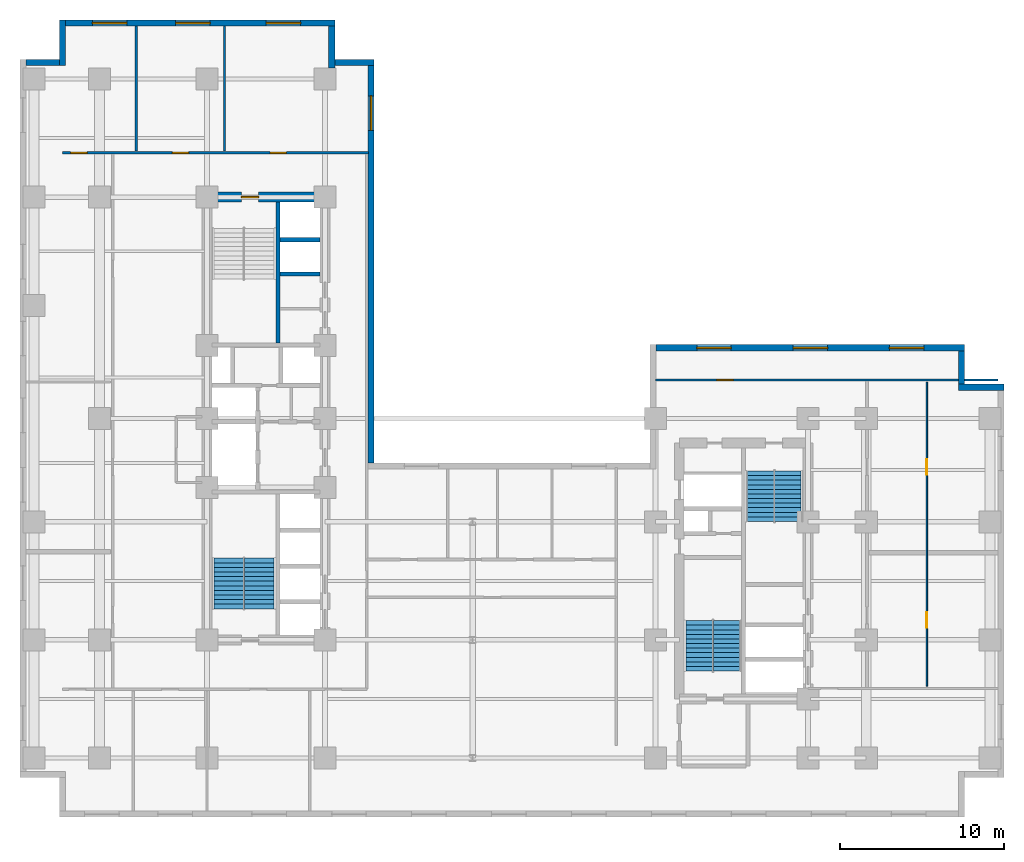
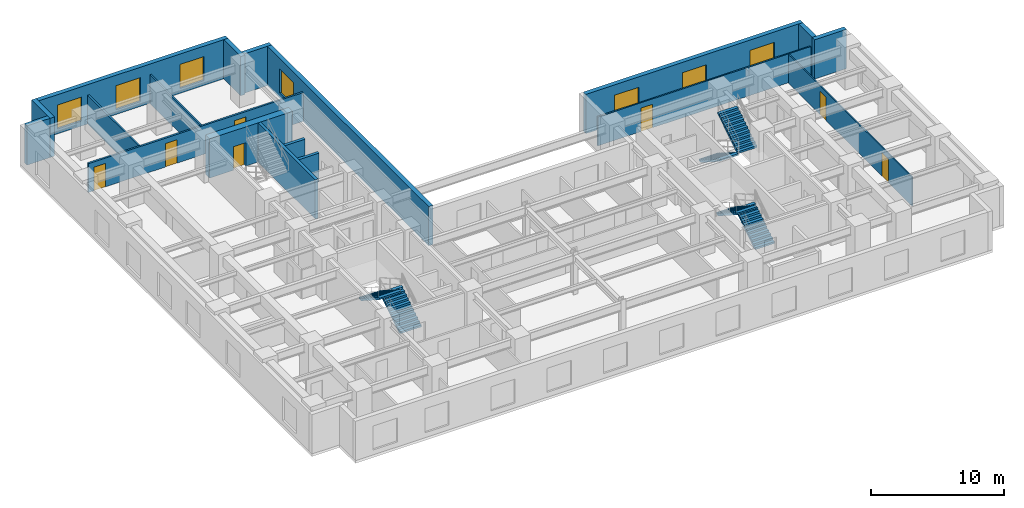
# One storey, part 6 of 10: 18 walls, 7 doors, 7 windows, 6 stair flights, 14 openings, 3 elements without a shape of their own.
"""IFC4 building model written with IfcOpenShell, lengths in metres."""

from ifc_helpers import new_model, entity, si_unit, converted_unit, direction, frame, origin_with_axes, origin_2d_with_axis, place, context, subcontext, project, spatial, polyline, rectangle, outline, extrude, material, layer, layer_set, type_object, element, fill, aggregate, save


model = new_model("IFC4")

# Units and contexts
model_context = context("Model", 3, precision=1e-05, world=origin_with_axes(), true_north=direction((0.0, 1.0)))
body_context = subcontext(model_context, "Body", "Model", "MODEL_VIEW")
ifc_project = project(units=[si_unit("LENGTHUNIT", "METRE"), si_unit("AREAUNIT", "SQUARE_METRE"), si_unit("VOLUMEUNIT", "CUBIC_METRE"), converted_unit("PLANEANGLEUNIT", "DEGREE", entity("IfcPlaneAngleMeasure", 0.017453292519943295), si_unit("PLANEANGLEUNIT", "RADIAN"), dimensions=[0, 0, 0, 0, 0, 0, 0]), si_unit("MASSUNIT", "GRAM", prefix="KILO"), si_unit("THERMODYNAMICTEMPERATUREUNIT", "KELVIN")], contexts=[model_context])

# Site, building, storey
site_placement = place(None, origin_with_axes())
site = spatial("IfcSite", under=ifc_project, at=site_placement, CompositionType="ELEMENT")
building_placement = place(site_placement, origin_with_axes())
building = spatial("IfcBuilding", under=site, at=building_placement, Name="Varnlund Millrace Tower", CompositionType="ELEMENT")
storey_placement = place(building_placement, frame((0.0, 0.0, 75.6), z_axis=(0.0, 0.0, 1.0), x_axis=(1.0, 0.0, 0.0)))
storey = spatial("IfcBuildingStorey", under=building, at=storey_placement, Name="L18", CompositionType="ELEMENT", Elevation=75.6)

# Wall, opening, door
ifc_material_1 = material(Name="Concrete C80/95", Category="concrete")
ifc_layer_1 = layer(ifc_material_1, 0.6, Name="Concrete C80/95")
ifc_layer_set_1 = layer_set([ifc_layer_1], Name="Concrete C80/95")
wall_type_1 = type_object("IfcWallType", Name="Type-CoreWall-Shear-600-C80", PredefinedType="SHEAR", material=ifc_layer_set_1)
wall_1_placement = place(storey_placement, frame((11.4, 37.8, 0.0), z_axis=(0.0, 0.0, 1.0), x_axis=(1.0, 0.0, 0.0)))
wall_1 = element("IfcWall", 1, at=wall_1_placement, inside=storey, type_object=wall_type_1, Name="Type-CoreWall-Shear-600-C80", PredefinedType="SHEAR", context=body_context, shape_type="SweptSolid", body=[
    extrude(outline(polyline([(0.0, -0.3), (7.2, -0.3), (7.2, 0.3), (0.0, 0.3), (0.0, -0.3)])), origin_with_axes(), (0.0, 0.0, 1.0), 3.6),
])
opening_1_placement = place(wall_1_placement, frame((2.625, 0.0, 0.0), z_axis=(0.0, 0.0, 1.0), x_axis=(1.0, 0.0, 0.0)))
opening_1 = element("IfcOpeningElement", 2, at=opening_1_placement, cuts=wall_1, Name="Opening L18:DR-STA2", PredefinedType="OPENING", context=body_context, shape_type="SweptSolid", body=[
    extrude(rectangle(XDim=1.05, YDim=0.62, at=origin_2d_with_axis()), origin_with_axes(), (0.0, 0.0, 1.0), 2.15),
])
ifc_material_2 = material(Name="Fire-rated hollow steel door", Category="steel")
door_type_1 = type_object("IfcDoorType", Name="Type-FireDoor-Stair-1050X2150", OperationType="NOTDEFINED", PredefinedType="DOOR", material=ifc_material_2)
door_1_placement = place(wall_1_placement, frame((2.625, 0.0, 0.0), z_axis=(0.0, 0.0, 1.0), x_axis=(1.0, 0.0, 0.0)))
door_1 = element("IfcDoor", 3, at=door_1_placement, inside=storey, type_object=door_type_1, Name="Type-FireDoor-Stair-1050X2150", OperationType="SINGLE_SWING_RIGHT", OverallHeight=2.15, OverallWidth=1.05, PredefinedType="DOOR", context=body_context, shape_type="SweptSolid", body=[
    extrude(rectangle(XDim=1.05, YDim=0.09, at=origin_2d_with_axis()), origin_with_axes(), (0.0, 0.0, 1.0), 2.15),
])
fill(opening_1, door_1)

# Wall, openings, windows
ifc_material_3 = material(Name="Precast concrete C50/60", Category="concrete")
ifc_layer_2 = layer(ifc_material_3, 0.38, Name="Precast concrete C50/60")
ifc_layer_set_2 = layer_set([ifc_layer_2], Name="Precast concrete C50/60")
wall_type_2 = type_object("IfcWallType", Name="Type-ExtWall-Precast-Tube-380", PredefinedType="SOLIDWALL", material=ifc_layer_set_2)
wall_2_placement = place(storey_placement, frame((38.78, 28.61, 0.0), z_axis=(0.0, 0.0, 1.0), x_axis=(1.0, 0.0, 0.0)))
wall_2 = element("IfcWall", 4, at=wall_2_placement, inside=storey, type_object=wall_type_2, Name="Type-ExtWall-Precast-Tube-380", PredefinedType="SOLIDWALL", context=body_context, shape_type="SweptSolid", body=[
    extrude(outline(polyline([(0.0, -0.19), (18.82, -0.19), (18.82, 0.19), (0.0, 0.19), (0.0, -0.19)])), origin_with_axes(), (0.0, 0.0, 1.0), 3.6),
])
opening_2_placement = place(wall_2_placement, frame((3.537, 0.0, 0.45), z_axis=(0.0, 0.0, 1.0), x_axis=(1.0, 0.0, 0.0)))
opening_2 = element("IfcOpeningElement", 5, at=opening_2_placement, cuts=wall_2, Name="Opening L18:WN-01", PredefinedType="OPENING", context=body_context, shape_type="SweptSolid", body=[
    extrude(rectangle(XDim=2.1, YDim=0.4, at=origin_2d_with_axis()), origin_with_axes(), (0.0, 0.0, 1.0), 2.2),
])
opening_3_placement = place(wall_2_placement, frame((9.41, 0.0, 0.45), z_axis=(0.0, 0.0, 1.0), x_axis=(1.0, 0.0, 0.0)))
opening_3 = element("IfcOpeningElement", 6, at=opening_3_placement, cuts=wall_2, Name="Opening L18:WN-02", PredefinedType="OPENING", context=body_context, shape_type="SweptSolid", body=[
    extrude(rectangle(XDim=2.1, YDim=0.4, at=origin_2d_with_axis()), origin_with_axes(), (0.0, 0.0, 1.0), 2.2),
])
opening_4_placement = place(wall_2_placement, frame((15.283, 0.0, 0.45), z_axis=(0.0, 0.0, 1.0), x_axis=(1.0, 0.0, 0.0)))
opening_4 = element("IfcOpeningElement", 7, at=opening_4_placement, cuts=wall_2, Name="Opening L18:WN-03", PredefinedType="OPENING", context=body_context, shape_type="SweptSolid", body=[
    extrude(rectangle(XDim=2.1, YDim=0.4, at=origin_2d_with_axis()), origin_with_axes(), (0.0, 0.0, 1.0), 2.2),
])
ifc_material_4 = material(Name="Argon low-e triple glazing in thermally broken bronze frame", Category="glass")
window_type = type_object("IfcWindowType", Name="Type-Window-Punched-2100X2200", PartitioningType="SINGLE_PANEL", PredefinedType="WINDOW", material=ifc_material_4)
window_1_placement = place(wall_2_placement, frame((3.537, 0.0, 0.45), z_axis=(0.0, 0.0, 1.0), x_axis=(1.0, 0.0, 0.0)))
window_1 = element("IfcWindow", 8, at=window_1_placement, inside=storey, type_object=window_type, Name="Type-Window-Punched-2100X2200", OverallHeight=2.2, OverallWidth=2.1, PredefinedType="WINDOW", context=body_context, shape_type="SweptSolid", body=[
    extrude(rectangle(XDim=2.1, YDim=0.09, at=origin_2d_with_axis()), origin_with_axes(), (0.0, 0.0, 1.0), 2.2),
])
fill(opening_2, window_1)
window_2_placement = place(wall_2_placement, frame((9.41, 0.0, 0.45), z_axis=(0.0, 0.0, 1.0), x_axis=(1.0, 0.0, 0.0)))
window_2 = element("IfcWindow", 9, at=window_2_placement, inside=storey, type_object=window_type, Name="Type-Window-Punched-2100X2200", OverallHeight=2.2, OverallWidth=2.1, PredefinedType="WINDOW", context=body_context, shape_type="SweptSolid", body=[
    extrude(rectangle(XDim=2.1, YDim=0.09, at=origin_2d_with_axis()), origin_with_axes(), (0.0, 0.0, 1.0), 2.2),
])
fill(opening_3, window_2)
window_3_placement = place(wall_2_placement, frame((15.283, 0.0, 0.45), z_axis=(0.0, 0.0, 1.0), x_axis=(1.0, 0.0, 0.0)))
window_3 = element("IfcWindow", 10, at=window_3_placement, inside=storey, type_object=window_type, Name="Type-Window-Punched-2100X2200", OverallHeight=2.2, OverallWidth=2.1, PredefinedType="WINDOW", context=body_context, shape_type="SweptSolid", body=[
    extrude(rectangle(XDim=2.1, YDim=0.09, at=origin_2d_with_axis()), origin_with_axes(), (0.0, 0.0, 1.0), 2.2),
])
fill(opening_4, window_3)

# Walls
wall_3_placement = place(storey_placement, frame((57.41, 28.42, 0.0), z_axis=(0.0, 0.0, 1.0), x_axis=(0.0, -1.0, 0.0)))
element("IfcWall", 11, at=wall_3_placement, inside=storey, type_object=wall_type_2, Name="Type-ExtWall-Precast-Tube-380", PredefinedType="SOLIDWALL", context=body_context, shape_type="SweptSolid", body=[
    extrude(outline(polyline([(0.0, -0.19), (2.02, -0.19), (2.02, 0.19), (0.0, 0.19), (0.0, -0.19)])), origin_with_axes(), (0.0, 0.0, 1.0), 3.6),
])
wall_4_placement = place(storey_placement, frame((57.22, 26.21, 0.0), z_axis=(0.0, 0.0, 1.0), x_axis=(1.0, 0.0, 0.0)))
element("IfcWall", 12, at=wall_4_placement, inside=storey, type_object=wall_type_2, Name="Type-ExtWall-Precast-Tube-380", PredefinedType="SOLIDWALL", context=body_context, shape_type="SweptSolid", body=[
    extrude(outline(polyline([(0.0, -0.19), (2.78, -0.19), (2.78, 0.19), (0.0, 0.19), (0.0, -0.19)])), origin_with_axes(), (0.0, 0.0, 1.0), 3.6),
])
wall_5_placement = place(storey_placement, frame((0.38, 46.01, 0.0), z_axis=(0.0, 0.0, 1.0), x_axis=(1.0, 0.0, 0.0)))
element("IfcWall", 13, at=wall_5_placement, inside=storey, type_object=wall_type_2, Name="Type-ExtWall-Precast-Tube-380", PredefinedType="SOLIDWALL", context=body_context, shape_type="SweptSolid", body=[
    extrude(outline(polyline([(0.0, -0.19), (2.02, -0.19), (2.02, 0.19), (0.0, 0.19), (0.0, -0.19)])), origin_with_axes(), (0.0, 0.0, 1.0), 3.6),
])
wall_6_placement = place(storey_placement, frame((2.59, 45.82, 0.0), z_axis=(0.0, 0.0, 1.0), x_axis=(0.0, 1.0, 0.0)))
element("IfcWall", 14, at=wall_6_placement, inside=storey, type_object=wall_type_2, Name="Type-ExtWall-Precast-Tube-380", PredefinedType="SOLIDWALL", context=body_context, shape_type="SweptSolid", body=[
    extrude(outline(polyline([(0.0, -0.19), (2.78, -0.19), (2.78, 0.19), (0.0, 0.19), (0.0, -0.19)])), origin_with_axes(), (0.0, 0.0, 1.0), 3.6),
])

# Wall, openings, windows
wall_7_placement = place(storey_placement, frame((2.78, 48.41, 0.0), z_axis=(0.0, 0.0, 1.0), x_axis=(1.0, 0.0, 0.0)))
wall_7 = element("IfcWall", 15, at=wall_7_placement, inside=storey, type_object=wall_type_2, Name="Type-ExtWall-Precast-Tube-380", PredefinedType="SOLIDWALL", context=body_context, shape_type="SweptSolid", body=[
    extrude(outline(polyline([(0.0, -0.19), (16.42, -0.19), (16.42, 0.19), (0.0, 0.19), (0.0, -0.19)])), origin_with_axes(), (0.0, 0.0, 1.0), 3.6),
])
opening_5_placement = place(wall_7_placement, frame((2.687, 0.0, 0.45), z_axis=(0.0, 0.0, 1.0), x_axis=(1.0, 0.0, 0.0)))
opening_5 = element("IfcOpeningElement", 16, at=opening_5_placement, cuts=wall_7, Name="Opening L18:WN-24", PredefinedType="OPENING", context=body_context, shape_type="SweptSolid", body=[
    extrude(rectangle(XDim=2.1, YDim=0.4, at=origin_2d_with_axis()), origin_with_axes(), (0.0, 0.0, 1.0), 2.2),
])
opening_6_placement = place(wall_7_placement, frame((7.76, 0.0, 0.45), z_axis=(0.0, 0.0, 1.0), x_axis=(1.0, 0.0, 0.0)))
opening_6 = element("IfcOpeningElement", 17, at=opening_6_placement, cuts=wall_7, Name="Opening L18:WN-25", PredefinedType="OPENING", context=body_context, shape_type="SweptSolid", body=[
    extrude(rectangle(XDim=2.1, YDim=0.4, at=origin_2d_with_axis()), origin_with_axes(), (0.0, 0.0, 1.0), 2.2),
])
opening_7_placement = place(wall_7_placement, frame((13.283, 0.0, 0.45), z_axis=(0.0, 0.0, 1.0), x_axis=(1.0, 0.0, 0.0)))
opening_7 = element("IfcOpeningElement", 18, at=opening_7_placement, cuts=wall_7, Name="Opening L18:WN-26", PredefinedType="OPENING", context=body_context, shape_type="SweptSolid", body=[
    extrude(rectangle(XDim=2.1, YDim=0.4, at=origin_2d_with_axis()), origin_with_axes(), (0.0, 0.0, 1.0), 2.2),
])
window_4_placement = place(wall_7_placement, frame((2.687, 0.0, 0.45), z_axis=(0.0, 0.0, 1.0), x_axis=(1.0, 0.0, 0.0)))
window_4 = element("IfcWindow", 19, at=window_4_placement, inside=storey, type_object=window_type, Name="Type-Window-Punched-2100X2200", OverallHeight=2.2, OverallWidth=2.1, PredefinedType="WINDOW", context=body_context, shape_type="SweptSolid", body=[
    extrude(rectangle(XDim=2.1, YDim=0.09, at=origin_2d_with_axis()), origin_with_axes(), (0.0, 0.0, 1.0), 2.2),
])
fill(opening_5, window_4)
window_5_placement = place(wall_7_placement, frame((7.76, 0.0, 0.45), z_axis=(0.0, 0.0, 1.0), x_axis=(1.0, 0.0, 0.0)))
window_5 = element("IfcWindow", 20, at=window_5_placement, inside=storey, type_object=window_type, Name="Type-Window-Punched-2100X2200", OverallHeight=2.2, OverallWidth=2.1, PredefinedType="WINDOW", context=body_context, shape_type="SweptSolid", body=[
    extrude(rectangle(XDim=2.1, YDim=0.09, at=origin_2d_with_axis()), origin_with_axes(), (0.0, 0.0, 1.0), 2.2),
])
fill(opening_6, window_5)
window_6_placement = place(wall_7_placement, frame((13.283, 0.0, 0.45), z_axis=(0.0, 0.0, 1.0), x_axis=(1.0, 0.0, 0.0)))
window_6 = element("IfcWindow", 21, at=window_6_placement, inside=storey, type_object=window_type, Name="Type-Window-Punched-2100X2200", OverallHeight=2.2, OverallWidth=2.1, PredefinedType="WINDOW", context=body_context, shape_type="SweptSolid", body=[
    extrude(rectangle(XDim=2.1, YDim=0.09, at=origin_2d_with_axis()), origin_with_axes(), (0.0, 0.0, 1.0), 2.2),
])
fill(opening_7, window_6)

# Walls
wall_8_placement = place(storey_placement, frame((19.01, 48.22, 0.0), z_axis=(0.0, 0.0, 1.0), x_axis=(0.0, -1.0, 0.0)))
element("IfcWall", 22, at=wall_8_placement, inside=storey, type_object=wall_type_2, Name="Type-ExtWall-Precast-Tube-380", PredefinedType="SOLIDWALL", context=body_context, shape_type="SweptSolid", body=[
    extrude(outline(polyline([(0.0, -0.19), (2.56, -0.19), (2.56, 0.19), (0.0, 0.19), (0.0, -0.19)])), origin_with_axes(), (0.0, 0.0, 1.0), 3.6),
])
wall_9_placement = place(storey_placement, frame((18.82, 46.01, 0.0), z_axis=(0.0, 0.0, 1.0), x_axis=(1.0, 0.0, 0.0)))
element("IfcWall", 23, at=wall_9_placement, inside=storey, type_object=wall_type_2, Name="Type-ExtWall-Precast-Tube-380", PredefinedType="SOLIDWALL", context=body_context, shape_type="SweptSolid", body=[
    extrude(outline(polyline([(0.0, -0.19), (2.78, -0.19), (2.78, 0.19), (0.0, 0.19), (0.0, -0.19)])), origin_with_axes(), (0.0, 0.0, 1.0), 3.6),
])

# Wall, opening, window
wall_10_placement = place(storey_placement, frame((21.41, 45.82, 0.0), z_axis=(0.0, 0.0, 1.0), x_axis=(0.0, -1.0, 0.0)))
wall_10 = element("IfcWall", 24, at=wall_10_placement, inside=storey, type_object=wall_type_2, Name="Type-ExtWall-Precast-Tube-380", PredefinedType="SOLIDWALL", context=body_context, shape_type="SweptSolid", body=[
    extrude(outline(polyline([(0.0, -0.19), (24.22, -0.19), (24.22, 0.19), (0.0, 0.19), (0.0, -0.19)])), origin_with_axes(), (0.0, 0.0, 1.0), 3.6),
])
opening_8_placement = place(wall_10_placement, frame((2.902, 0.0, 0.45), z_axis=(0.0, 0.0, 1.0), x_axis=(1.0, 0.0, 0.0)))
opening_8 = element("IfcOpeningElement", 25, at=opening_8_placement, cuts=wall_10, Name="Opening L18:WN-27", PredefinedType="OPENING", context=body_context, shape_type="SweptSolid", body=[
    extrude(rectangle(XDim=2.1, YDim=0.4, at=origin_2d_with_axis()), origin_with_axes(), (0.0, 0.0, 1.0), 2.2),
])
window_7_placement = place(wall_10_placement, frame((2.902, 0.0, 0.45), z_axis=(0.0, 0.0, 1.0), x_axis=(1.0, 0.0, 0.0)))
window_7 = element("IfcWindow", 26, at=window_7_placement, inside=storey, type_object=window_type, Name="Type-Window-Punched-2100X2200", OverallHeight=2.2, OverallWidth=2.1, PredefinedType="WINDOW", context=body_context, shape_type="SweptSolid", body=[
    extrude(rectangle(XDim=2.1, YDim=0.09, at=origin_2d_with_axis()), origin_with_axes(), (0.0, 0.0, 1.0), 2.2),
])
fill(opening_8, window_7)

# Wall, openings, doors
ifc_material_5 = material(Name="Fire-rated gypsum board on cold-formed steel framing", Category="steel")
ifc_layer_3 = layer(ifc_material_5, 0.16, Name="Fire-rated gypsum board on cold-formed steel framing")
ifc_layer_set_3 = layer_set([ifc_layer_3], Name="Fire-rated gypsum board on cold-formed steel framing")
wall_type_3 = type_object("IfcWallType", Name="Type-Partition-Corridor-160", PredefinedType="PARTITIONING", material=ifc_layer_set_3)
wall_11_placement = place(storey_placement, frame((2.6, 40.5, 0.0), z_axis=(0.0, 0.0, 1.0), x_axis=(1.0, 0.0, 0.0)))
wall_11 = element("IfcWall", 27, at=wall_11_placement, inside=storey, type_object=wall_type_3, Name="Type-Partition-Corridor-160", PredefinedType="PARTITIONING", context=body_context, shape_type="SweptSolid", body=[
    extrude(outline(polyline([(0.0, -0.08), (18.65, -0.08), (18.65, 0.08), (0.0, 0.08), (0.0, -0.08)])), origin_with_axes(), (0.0, 0.0, 1.0), 2.64),
])
opening_9_placement = place(wall_11_placement, frame((0.992, 0.0, 0.0), z_axis=(0.0, 0.0, 1.0), x_axis=(1.0, 0.0, 0.0)))
opening_9 = element("IfcOpeningElement", 28, at=opening_9_placement, cuts=wall_11, Name="Opening L18:DR-WAN-01", PredefinedType="OPENING", context=body_context, shape_type="SweptSolid", body=[
    extrude(rectangle(XDim=1.0, YDim=0.18, at=origin_2d_with_axis()), origin_with_axes(), (0.0, 0.0, 1.0), 2.15),
])
opening_10_placement = place(wall_11_placement, frame((7.1855, 0.0, 0.0), z_axis=(0.0, 0.0, 1.0), x_axis=(1.0, 0.0, 0.0)))
opening_10 = element("IfcOpeningElement", 29, at=opening_10_placement, cuts=wall_11, Name="Opening L18:DR-WAN-02", PredefinedType="OPENING", context=body_context, shape_type="SweptSolid", body=[
    extrude(rectangle(XDim=1.0, YDim=0.18, at=origin_2d_with_axis()), origin_with_axes(), (0.0, 0.0, 1.0), 2.15),
])
opening_11_placement = place(wall_11_placement, frame((13.148, 0.0, 0.0), z_axis=(0.0, 0.0, 1.0), x_axis=(1.0, 0.0, 0.0)))
opening_11 = element("IfcOpeningElement", 30, at=opening_11_placement, cuts=wall_11, Name="Opening L18:DR-WAN-03", PredefinedType="OPENING", context=body_context, shape_type="SweptSolid", body=[
    extrude(rectangle(XDim=1.0, YDim=0.18, at=origin_2d_with_axis()), origin_with_axes(), (0.0, 0.0, 1.0), 2.15),
])
ifc_material_6 = material(Name="Solid-core white oak and bronze frame door")
door_type_2 = type_object("IfcDoorType", Name="Type-IntDoor-Office-1000X2150", OperationType="NOTDEFINED", PredefinedType="DOOR", material=ifc_material_6)
door_2_placement = place(wall_11_placement, frame((0.992, 0.0, 0.0), z_axis=(0.0, 0.0, 1.0), x_axis=(1.0, 0.0, 0.0)))
door_2 = element("IfcDoor", 31, at=door_2_placement, inside=storey, type_object=door_type_2, Name="Type-IntDoor-Office-1000X2150", OperationType="SINGLE_SWING_LEFT", OverallHeight=2.15, OverallWidth=1.0, PredefinedType="DOOR", context=body_context, shape_type="SweptSolid", body=[
    extrude(rectangle(XDim=1.0, YDim=0.09, at=origin_2d_with_axis()), origin_with_axes(), (0.0, 0.0, 1.0), 2.15),
])
fill(opening_9, door_2)
door_3_placement = place(wall_11_placement, frame((7.1855, 0.0, 0.0), z_axis=(0.0, 0.0, 1.0), x_axis=(1.0, 0.0, 0.0)))
door_3 = element("IfcDoor", 32, at=door_3_placement, inside=storey, type_object=door_type_2, Name="Type-IntDoor-Office-1000X2150", OperationType="SINGLE_SWING_RIGHT", OverallHeight=2.15, OverallWidth=1.0, PredefinedType="DOOR", context=body_context, shape_type="SweptSolid", body=[
    extrude(rectangle(XDim=1.0, YDim=0.09, at=origin_2d_with_axis()), origin_with_axes(), (0.0, 0.0, 1.0), 2.15),
])
fill(opening_10, door_3)
door_4_placement = place(wall_11_placement, frame((13.148, 0.0, 0.0), z_axis=(0.0, 0.0, 1.0), x_axis=(1.0, 0.0, 0.0)))
door_4 = element("IfcDoor", 33, at=door_4_placement, inside=storey, type_object=door_type_2, Name="Type-IntDoor-Office-1000X2150", OperationType="SINGLE_SWING_LEFT", OverallHeight=2.15, OverallWidth=1.0, PredefinedType="DOOR", context=body_context, shape_type="SweptSolid", body=[
    extrude(rectangle(XDim=1.0, YDim=0.09, at=origin_2d_with_axis()), origin_with_axes(), (0.0, 0.0, 1.0), 2.15),
])
fill(opening_11, door_4)

# Wall
ifc_material_7 = material(Name="Acoustic STC-50 gypsum board partition", Category="gypsum")
ifc_layer_4 = layer(ifc_material_7, 0.15, Name="Acoustic STC-50 gypsum board partition")
ifc_layer_set_4 = layer_set([ifc_layer_4], Name="Acoustic STC-50 gypsum board partition")
wall_type_4 = type_object("IfcWallType", Name="Type-Partition-Demising-150", PredefinedType="PARTITIONING", material=ifc_layer_set_4)
wall_12_placement = place(storey_placement, frame((7.095, 40.6, 0.0), z_axis=(0.0, 0.0, 1.0), x_axis=(0.0, 1.0, 0.0)))
element("IfcWall", 34, at=wall_12_placement, inside=storey, type_object=wall_type_4, Name="Type-Partition-Demising-150", PredefinedType="PARTITIONING", context=body_context, shape_type="SweptSolid", body=[
    extrude(outline(polyline([(0.0, -0.075), (7.64, -0.075), (7.64, 0.075), (0.0, 0.075), (0.0, -0.075)])), origin_with_axes(), (0.0, 0.0, 1.0), 2.64),
])

# Wall, openings, doors
ifc_material_8 = material(Name="Architectural bronze and acoustic glass office front", Category="glass")
ifc_layer_5 = layer(ifc_material_8, 0.1, Name="Architectural bronze and acoustic glass office front")
ifc_layer_set_5 = layer_set([ifc_layer_5], Name="Architectural bronze and acoustic glass office front")
wall_type_5 = type_object("IfcWallType", Name="Type-Partition-Glazed-100", PredefinedType="PARTITIONING", material=ifc_layer_set_5)
wall_13_placement = place(storey_placement, frame((55.3, 7.98, 0.0), z_axis=(0.0, 0.0, 1.0), x_axis=(0.0, 1.0, 0.0)))
wall_13 = element("IfcWall", 35, at=wall_13_placement, inside=storey, type_object=wall_type_5, Name="Type-Partition-Glazed-100", PredefinedType="PARTITIONING", context=body_context, shape_type="SweptSolid", body=[
    extrude(outline(polyline([(0.0, -0.05), (18.54, -0.05), (18.54, 0.05), (0.0, 0.05), (0.0, -0.05)])), origin_with_axes(), (0.0, 0.0, 1.0), 2.64),
])
opening_12_placement = place(wall_13_placement, frame((4.033, 0.0, 0.0), z_axis=(0.0, 0.0, 1.0), x_axis=(1.0, 0.0, 0.0)))
opening_12 = element("IfcOpeningElement", 36, at=opening_12_placement, cuts=wall_13, Name="Opening L18:DR-WB-S01", PredefinedType="OPENING", context=body_context, shape_type="SweptSolid", body=[
    extrude(rectangle(XDim=0.95, YDim=0.12, at=origin_2d_with_axis()), origin_with_axes(), (0.0, 0.0, 1.0), 2.15),
])
opening_13_placement = place(wall_13_placement, frame((13.373, 0.0, 0.0), z_axis=(0.0, 0.0, 1.0), x_axis=(1.0, 0.0, 0.0)))
opening_13 = element("IfcOpeningElement", 37, at=opening_13_placement, cuts=wall_13, Name="Opening L18:DR-WB-S02", PredefinedType="OPENING", context=body_context, shape_type="SweptSolid", body=[
    extrude(rectangle(XDim=0.95, YDim=0.12, at=origin_2d_with_axis()), origin_with_axes(), (0.0, 0.0, 1.0), 2.15),
])
ifc_material_9 = material(Name="Solid-core acoustic office door")
door_type_3 = type_object("IfcDoorType", Name="Type-IntDoor-Tenant-950X2150", OperationType="NOTDEFINED", PredefinedType="DOOR", material=ifc_material_9)
door_5_placement = place(wall_13_placement, frame((4.033, 0.0, 0.0), z_axis=(0.0, 0.0, 1.0), x_axis=(1.0, 0.0, 0.0)))
door_5 = element("IfcDoor", 38, at=door_5_placement, inside=storey, type_object=door_type_3, Name="Type-IntDoor-Tenant-950X2150", OperationType="SINGLE_SWING_LEFT", OverallHeight=2.15, OverallWidth=0.95, PredefinedType="DOOR", context=body_context, shape_type="SweptSolid", body=[
    extrude(rectangle(XDim=0.95, YDim=0.06, at=origin_2d_with_axis()), origin_with_axes(), (0.0, 0.0, 1.0), 2.15),
])
fill(opening_12, door_5)
door_6_placement = place(wall_13_placement, frame((13.373, 0.0, 0.0), z_axis=(0.0, 0.0, 1.0), x_axis=(1.0, 0.0, 0.0)))
door_6 = element("IfcDoor", 39, at=door_6_placement, inside=storey, type_object=door_type_3, Name="Type-IntDoor-Tenant-950X2150", OperationType="SINGLE_SWING_LEFT", OverallHeight=2.15, OverallWidth=0.95, PredefinedType="DOOR", context=body_context, shape_type="SweptSolid", body=[
    extrude(rectangle(XDim=0.95, YDim=0.06, at=origin_2d_with_axis()), origin_with_axes(), (0.0, 0.0, 1.0), 2.15),
])
fill(opening_13, door_6)

# Wall
ifc_material_10 = material(Name="Gypsum board tenant partition", Category="gypsum")
ifc_layer_6 = layer(ifc_material_10, 0.125, Name="Gypsum board tenant partition")
ifc_layer_set_6 = layer_set([ifc_layer_6], Name="Gypsum board tenant partition")
wall_type_6 = type_object("IfcWallType", Name="Type-Partition-Tenant-125", PredefinedType="PARTITIONING", material=ifc_layer_set_6)
wall_14_placement = place(storey_placement, frame((12.476, 40.6, 0.0), z_axis=(0.0, 0.0, 1.0), x_axis=(0.0, 1.0, 0.0)))
element("IfcWall", 40, at=wall_14_placement, inside=storey, type_object=wall_type_6, Name="Type-Partition-Tenant-125", PredefinedType="PARTITIONING", context=body_context, shape_type="SweptSolid", body=[
    extrude(outline(polyline([(0.0, -0.0625), (7.64, -0.0625), (7.64, 0.0625), (0.0, 0.0625), (0.0, -0.0625)])), origin_with_axes(), (0.0, 0.0, 1.0), 2.64),
])

# Wall, opening, door
wall_15_placement = place(storey_placement, frame((38.76, 26.65, 0.0), z_axis=(0.0, 0.0, 1.0), x_axis=(1.0, 0.0, 0.0)))
wall_15 = element("IfcWall", 41, at=wall_15_placement, inside=storey, type_object=wall_type_6, Name="Type-Partition-Tenant-125", PredefinedType="PARTITIONING", context=body_context, shape_type="SweptSolid", body=[
    extrude(outline(polyline([(0.0, -0.0625), (20.88, -0.0625), (20.88, 0.0625), (0.0, 0.0625), (0.0, -0.0625)])), origin_with_axes(), (0.0, 0.0, 1.0), 2.64),
])
opening_14_placement = place(wall_15_placement, frame((4.24, 0.0, 0.0), z_axis=(0.0, 0.0, 1.0), x_axis=(1.0, 0.0, 0.0)))
opening_14 = element("IfcOpeningElement", 42, at=opening_14_placement, cuts=wall_15, Name="Opening L18:DR-WBN-01", PredefinedType="OPENING", context=body_context, shape_type="SweptSolid", body=[
    extrude(rectangle(XDim=1.0, YDim=0.145, at=origin_2d_with_axis()), origin_with_axes(), (0.0, 0.0, 1.0), 2.15),
])
door_7_placement = place(wall_15_placement, frame((4.24, 0.0, 0.0), z_axis=(0.0, 0.0, 1.0), x_axis=(1.0, 0.0, 0.0)))
door_7 = element("IfcDoor", 43, at=door_7_placement, inside=storey, type_object=door_type_2, Name="Type-IntDoor-Office-1000X2150", OperationType="SINGLE_SWING_RIGHT", OverallHeight=2.15, OverallWidth=1.0, PredefinedType="DOOR", context=body_context, shape_type="SweptSolid", body=[
    extrude(rectangle(XDim=1.0, YDim=0.075, at=origin_2d_with_axis()), origin_with_axes(), (0.0, 0.0, 1.0), 2.15),
])
fill(opening_14, door_7)

# Walls
ifc_material_11 = material(Name="Concrete C60/75", Category="concrete")
ifc_layer_7 = layer(ifc_material_11, 0.25, Name="Concrete C60/75")
ifc_layer_set_7 = layer_set([ifc_layer_7], Name="Concrete C60/75")
wall_type_7 = type_object("IfcWallType", Name="Type-ShaftWall-Fire-250", PredefinedType="SOLIDWALL", material=ifc_layer_set_7)
for number, where, z_axis, x_axis, name in (
    (44, (15.84, 33.1, 0.0), (0.0, 0.0, 1.0), (1.0, 0.0, 0.0), "Type-ShaftWall-Fire-250"),
    (45, (15.84, 35.2, 0.0), (0.0, 0.0, 1.0), (1.0, 0.0, 0.0), "Type-ShaftWall-Fire-250"),
):
    element("IfcWall", number, at=place(storey_placement, frame(where, z_axis=z_axis, x_axis=x_axis)), inside=storey, type_object=wall_type_7, Name=name, PredefinedType="SOLIDWALL", context=body_context, shape_type="SweptSolid", body=[
        extrude(outline(polyline([(0.0, -0.125), (2.46, -0.125), (2.46, 0.125), (0.0, 0.125), (0.0, -0.125)])), origin_with_axes(), (0.0, 0.0, 1.0), 2.64),
    ])
wall_type_8 = type_object("IfcWallType", Name="Type-StairWall-Shear-250", PredefinedType="SHEAR", material=ifc_layer_set_7)
wall_16_placement = place(storey_placement, frame((15.725, 28.9, 0.0), z_axis=(0.0, 0.0, 1.0), x_axis=(0.0, 1.0, 0.0)))
element("IfcWall", 46, at=wall_16_placement, inside=storey, type_object=wall_type_8, Name="Type-StairWall-Shear-250", PredefinedType="SHEAR", context=body_context, shape_type="SweptSolid", body=[
    extrude(outline(polyline([(0.0, -0.125), (8.6, -0.125), (8.6, 0.125), (0.0, 0.125), (0.0, -0.125)])), origin_with_axes(), (0.0, 0.0, 1.0), 3.6),
])

# Stair, stair flights
ifc_material_12 = material(Name="Concrete C50/60", Category="concrete")
stair_type_1 = type_object("IfcStairType", Name="Type-Stair-Dogleg-165-390", PredefinedType="HALF_TURN_STAIR", material=ifc_material_12)
stair_1_placement = place(storey_placement, origin_with_axes())
stair_1 = element("IfcStair", 47, at=stair_1_placement, inside=storey, type_object=stair_type_1, Name="Type-Stair-Dogleg-165-390", PredefinedType="HALF_TURN_STAIR")
stair_flight_type_1 = type_object("IfcStairFlightType", Name="Type-Dogleg-Run-165-390", PredefinedType="STRAIGHT", material=ifc_material_3)
stair_flight_1_placement = place(storey_placement, frame((42.225, 8.9, 0.0), z_axis=(1.0, 0.0, 0.0), x_axis=(0.0, 1.0, 0.0)))
stair_flight_1 = element("IfcStairFlight", 48, at=stair_flight_1_placement, type_object=stair_flight_type_1, Name="ST-B1 flight 1", NumberOfRisers=11, NumberOfTreads=11, PredefinedType="STRAIGHT", RiserHeight=0.177273, TreadLength=0.28, context=body_context, shape_type="SweptSolid", body=[
    extrude(outline(polyline([(0.0, 0.0), (0.0, 0.177273), (0.28, 0.177273), (0.28, 0.354545), (0.56, 0.354545), (0.56, 0.531818), (0.84, 0.531818), (0.84, 0.709091), (1.12, 0.709091), (1.12, 0.886364), (1.4, 0.886364), (1.4, 1.063636), (1.68, 1.063636), (1.68, 1.240909), (1.96, 1.240909), (1.96, 1.418182), (2.24, 1.418182), (2.24, 1.595454), (2.52, 1.595454), (2.52, 1.772727), (2.8, 1.772727), (2.8, 1.95), (3.08, 1.95), (3.08, 1.8), (0.28, 0.0), (0.0, 0.0)])), origin_with_axes(), (0.0, 0.0, 1.0), 1.65),
])
stair_flight_2_placement = place(storey_placement, frame((42.275, 11.98, 1.95), z_axis=(-1.0, 0.0, 0.0), x_axis=(0.0, -1.0, 0.0)))
stair_flight_2 = element("IfcStairFlight", 49, at=stair_flight_2_placement, type_object=stair_flight_type_1, Name="ST-B1 flight 2", NumberOfRisers=11, NumberOfTreads=11, PredefinedType="STRAIGHT", RiserHeight=0.177273, TreadLength=0.28, context=body_context, shape_type="SweptSolid", body=[
    extrude(outline(polyline([(0.0, 0.0), (0.0, 0.177273), (0.28, 0.177273), (0.28, 0.354545), (0.56, 0.354545), (0.56, 0.531818), (0.84, 0.531818), (0.84, 0.709091), (1.12, 0.709091), (1.12, 0.886364), (1.4, 0.886364), (1.4, 1.063636), (1.68, 1.063636), (1.68, 1.240909), (1.96, 1.240909), (1.96, 1.418182), (2.24, 1.418182), (2.24, 1.595454), (2.52, 1.595454), (2.52, 1.772727), (2.8, 1.772727), (2.8, 1.95), (3.08, 1.95), (3.08, 1.8), (0.28, 0.0), (0.0, 0.0)])), origin_with_axes(), (0.0, 0.0, 1.0), 1.65),
])
aggregate(stair_1, [stair_flight_1, stair_flight_2])

stair_2_placement = place(storey_placement, origin_with_axes())
stair_2 = element("IfcStair", 50, at=stair_2_placement, inside=storey, type_object=stair_type_1, Name="Type-Stair-Dogleg-165-390", PredefinedType="HALF_TURN_STAIR")
stair_flight_3_placement = place(storey_placement, frame((46.025, 21.1, 0.0), z_axis=(-1.0, 0.0, 0.0), x_axis=(0.0, -1.0, 0.0)))
stair_flight_3 = element("IfcStairFlight", 51, at=stair_flight_3_placement, type_object=stair_flight_type_1, Name="ST-B2 flight 1", NumberOfRisers=11, NumberOfTreads=11, PredefinedType="STRAIGHT", RiserHeight=0.177273, TreadLength=0.28, context=body_context, shape_type="SweptSolid", body=[
    extrude(outline(polyline([(0.0, 0.0), (0.0, 0.177273), (0.28, 0.177273), (0.28, 0.354545), (0.56, 0.354545), (0.56, 0.531818), (0.84, 0.531818), (0.84, 0.709091), (1.12, 0.709091), (1.12, 0.886364), (1.4, 0.886364), (1.4, 1.063636), (1.68, 1.063636), (1.68, 1.240909), (1.96, 1.240909), (1.96, 1.418182), (2.24, 1.418182), (2.24, 1.595454), (2.52, 1.595454), (2.52, 1.772727), (2.8, 1.772727), (2.8, 1.95), (3.08, 1.95), (3.08, 1.8), (0.28, 0.0), (0.0, 0.0)])), origin_with_axes(), (0.0, 0.0, 1.0), 1.65),
])
stair_flight_4_placement = place(storey_placement, frame((45.975, 18.02, 1.95), z_axis=(1.0, 0.0, 0.0), x_axis=(0.0, 1.0, 0.0)))
stair_flight_4 = element("IfcStairFlight", 52, at=stair_flight_4_placement, type_object=stair_flight_type_1, Name="ST-B2 flight 2", NumberOfRisers=11, NumberOfTreads=11, PredefinedType="STRAIGHT", RiserHeight=0.177273, TreadLength=0.28, context=body_context, shape_type="SweptSolid", body=[
    extrude(outline(polyline([(0.0, 0.0), (0.0, 0.177273), (0.28, 0.177273), (0.28, 0.354545), (0.56, 0.354545), (0.56, 0.531818), (0.84, 0.531818), (0.84, 0.709091), (1.12, 0.709091), (1.12, 0.886364), (1.4, 0.886364), (1.4, 1.063636), (1.68, 1.063636), (1.68, 1.240909), (1.96, 1.240909), (1.96, 1.418182), (2.24, 1.418182), (2.24, 1.595454), (2.52, 1.595454), (2.52, 1.772727), (2.8, 1.772727), (2.8, 1.95), (3.08, 1.95), (3.08, 1.8), (0.28, 0.0), (0.0, 0.0)])), origin_with_axes(), (0.0, 0.0, 1.0), 1.65),
])
aggregate(stair_2, [stair_flight_3, stair_flight_4])

stair_type_2 = type_object("IfcStairType", Name="Type-Stair-Dogleg-185-390", PredefinedType="HALF_TURN_STAIR", material=ifc_material_12)
stair_3_placement = place(storey_placement, origin_with_axes())
stair_3 = element("IfcStair", 53, at=stair_3_placement, inside=storey, type_object=stair_type_2, Name="Type-Stair-Dogleg-185-390", PredefinedType="HALF_TURN_STAIR")
stair_flight_type_2 = type_object("IfcStairFlightType", Name="Type-Dogleg-Run-185-390", PredefinedType="STRAIGHT", material=ifc_material_3)
stair_flight_5_placement = place(storey_placement, frame((13.625, 12.7, 0.0), z_axis=(1.0, 0.0, 0.0), x_axis=(0.0, 1.0, 0.0)))
stair_flight_5 = element("IfcStairFlight", 54, at=stair_flight_5_placement, type_object=stair_flight_type_2, Name="ST-A1 flight 1", NumberOfRisers=11, NumberOfTreads=11, PredefinedType="STRAIGHT", RiserHeight=0.177273, TreadLength=0.28, context=body_context, shape_type="SweptSolid", body=[
    extrude(outline(polyline([(0.0, 0.0), (0.0, 0.177273), (0.28, 0.177273), (0.28, 0.354545), (0.56, 0.354545), (0.56, 0.531818), (0.84, 0.531818), (0.84, 0.709091), (1.12, 0.709091), (1.12, 0.886364), (1.4, 0.886364), (1.4, 1.063636), (1.68, 1.063636), (1.68, 1.240909), (1.96, 1.240909), (1.96, 1.418182), (2.24, 1.418182), (2.24, 1.595454), (2.52, 1.595454), (2.52, 1.772727), (2.8, 1.772727), (2.8, 1.95), (3.08, 1.95), (3.08, 1.8), (0.28, 0.0), (0.0, 0.0)])), origin_with_axes(), (0.0, 0.0, 1.0), 1.85),
])
stair_flight_6_placement = place(storey_placement, frame((13.675, 15.78, 1.95), z_axis=(-1.0, 0.0, 0.0), x_axis=(0.0, -1.0, 0.0)))
stair_flight_6 = element("IfcStairFlight", 55, at=stair_flight_6_placement, type_object=stair_flight_type_2, Name="ST-A1 flight 2", NumberOfRisers=11, NumberOfTreads=11, PredefinedType="STRAIGHT", RiserHeight=0.177273, TreadLength=0.28, context=body_context, shape_type="SweptSolid", body=[
    extrude(outline(polyline([(0.0, 0.0), (0.0, 0.177273), (0.28, 0.177273), (0.28, 0.354545), (0.56, 0.354545), (0.56, 0.531818), (0.84, 0.531818), (0.84, 0.709091), (1.12, 0.709091), (1.12, 0.886364), (1.4, 0.886364), (1.4, 1.063636), (1.68, 1.063636), (1.68, 1.240909), (1.96, 1.240909), (1.96, 1.418182), (2.24, 1.418182), (2.24, 1.595454), (2.52, 1.595454), (2.52, 1.772727), (2.8, 1.772727), (2.8, 1.95), (3.08, 1.95), (3.08, 1.8), (0.28, 0.0), (0.0, 0.0)])), origin_with_axes(), (0.0, 0.0, 1.0), 1.85),
])
aggregate(stair_3, [stair_flight_5, stair_flight_6])

save(model, "model.ifc")
